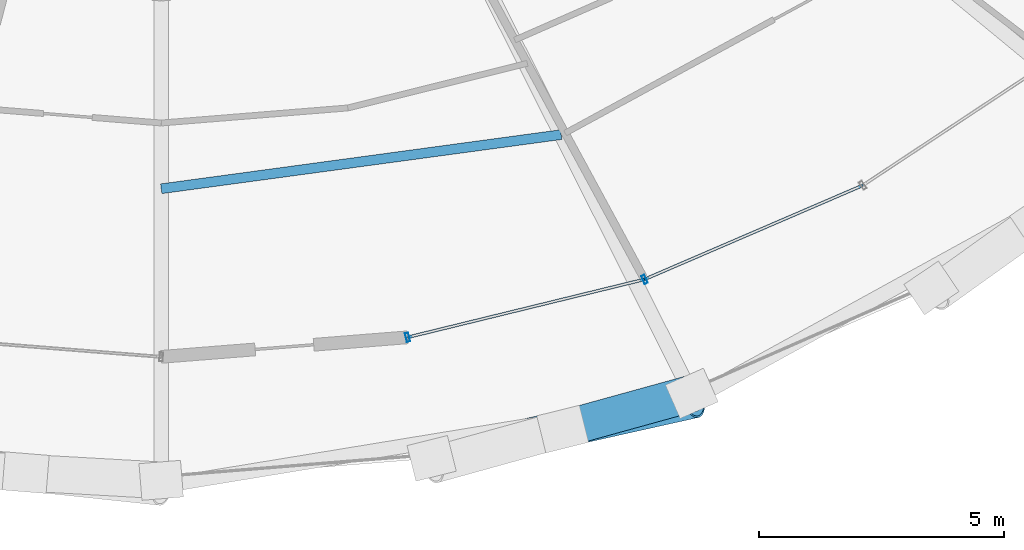
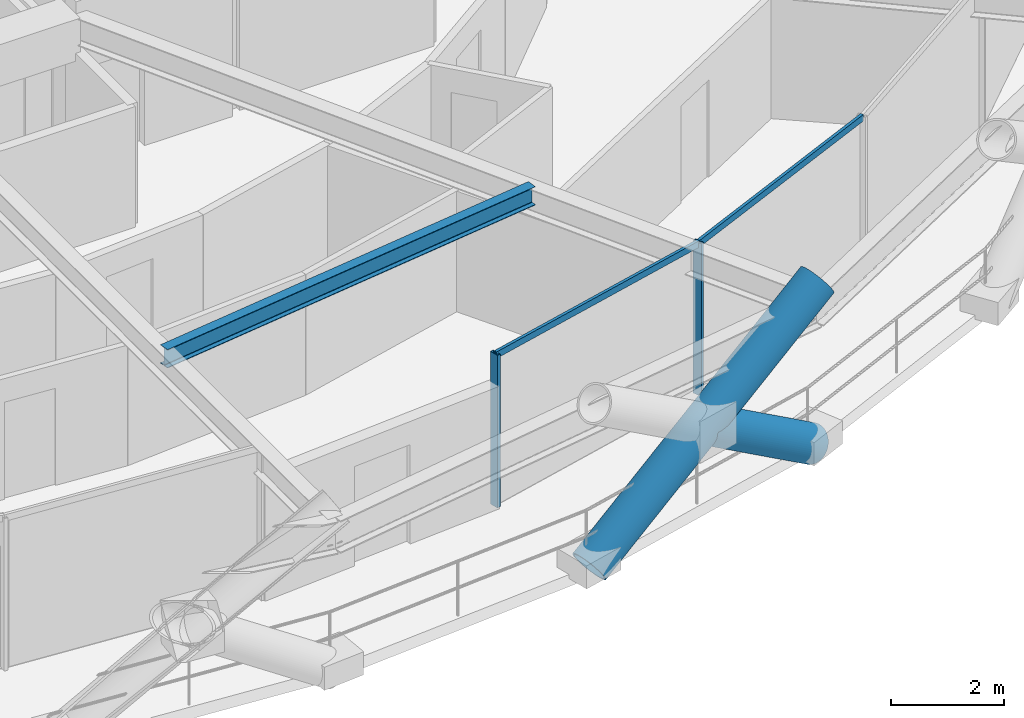
# One storey, part 6 of 20: 6 members, 1 beam, 1 element without a shape of its own.
"""IFC4 building model written with IfcOpenShell, lengths in metres."""

from ifc_helpers import new_model, si_unit, direction, frame, origin, origin_2d, place, context, subcontext, project, spatial, hollow_rectangle, hollow_circle, i_section, extrude, material, layer, layer_set, material_profile, profile_set, type_object, element, aggregate, save


model = new_model("IFC4")

# Units and contexts
model_context = context("Model", 3, precision=1e-05, world=origin(), true_north=direction((0.0, 1.0)))
body_context = subcontext(model_context, "Body", "Model", "MODEL_VIEW")
ifc_project = project(units=[si_unit("LENGTHUNIT", "METRE"), si_unit("AREAUNIT", "SQUARE_METRE"), si_unit("VOLUMEUNIT", "CUBIC_METRE"), si_unit("PLANEANGLEUNIT", "RADIAN"), si_unit("MASSUNIT", "GRAM", prefix="KILO")], contexts=[model_context])

# Site, building, storey
site_placement = place(None, origin())
site = spatial("IfcSite", under=ifc_project, at=site_placement, CompositionType="ELEMENT")
building_placement = place(site_placement, origin())
building = spatial("IfcBuilding", under=site, at=building_placement, Name="Veldorina Hangang Commons", CompositionType="ELEMENT")
storey_placement = place(building_placement, frame((0.0, 0.0, 48.39990234375)))
storey = spatial("IfcBuildingStorey", under=building, at=storey_placement, Name="L11", CompositionType="ELEMENT", Elevation=48.39990234375)

# Beam
ifc_material_1 = material(Name="Steel SM355-TMC", Category="steel")
ifc_material_profile_1 = material_profile(ifc_material_1, i_section(OverallWidth=0.199951171875, OverallDepth=0.39990234375, WebThickness=0.008056640625, FlangeThickness=0.012939453125, FilletRadius=0.012939453125, at=origin_2d()), Name="H-400x200x8x13")
ifc_profile_set_1 = profile_set([ifc_material_profile_1], Name="Steel SM355-TMC")
beam_type = type_object("IfcBeamType", Name="BM-JST400", PredefinedType="JOIST", material=ifc_profile_set_1)
beam_placement = place(storey_placement, frame((32.0, 6.653564453125, 3.14013671875), z_axis=(0.990965093647, 0.13412003271, 0.0), x_axis=(-0.13412003271, 0.990965093647, 0.0)))
element("IfcBeam", 1, at=beam_placement, inside=storey, type_object=beam_type, Name="L11 secondary floor joist 13", PredefinedType="JOIST", context=body_context, shape_type="SweptSolid", body=[
    extrude(i_section(OverallWidth=0.199951171875, OverallDepth=0.39990234375, WebThickness=0.008056640625, FlangeThickness=0.012939453125, FilletRadius=0.012939453125, at=origin_2d()), origin(), (0.0, 0.0, 1.0), 8.23876953125),
])

# Curtain wall, members
ifc_material_2 = material(Name="Glass Low-E Triple IGU", Category="glass")
ifc_layer = layer(ifc_material_2, 0.179931640625)
ifc_layer_set = layer_set([ifc_layer], Name="Glass Low-E Triple IGU")
curtain_wall_type = type_object("IfcCurtainWallType", Name="CW-SYS-Z1", PredefinedType="NOTDEFINED", material=ifc_layer_set)
curtain_wall_placement = place(storey_placement, origin())
curtain_wall = element("IfcCurtainWall", 2, at=curtain_wall_placement, inside=storey, type_object=curtain_wall_type, Name="L11 unitised curtain wall CW-L11-R2", PredefinedType="NOTDEFINED")
ifc_material_3 = material(Name="Aluminium Anodized AA6063-T6", Category="aluminium")
ifc_material_profile_2 = material_profile(ifc_material_3, hollow_rectangle(XDim=0.070068359375, YDim=0.179931640625, WallThickness=0.00390625, at=origin_2d()), Name="ALU-RHS-180x70x4")
ifc_profile_set_2 = profile_set([ifc_material_profile_2], Name="Aluminium Anodized AA6063-T6")
member_type_1 = type_object("IfcMemberType", Name="CW-MUL-180", PredefinedType="MULLION", material=ifc_profile_set_2)
member_1_placement = place(storey_placement, frame((37.029052734375, 3.62109375, 0.0), z_axis=(0.0, 0.0, 1.0), x_axis=(0.971383539033, 0.237516357534, 0.0)))
member_1 = element("IfcMember", 3, at=member_1_placement, type_object=member_type_1, Name="CW-L11-R2 vertical mullion 1", PredefinedType="MULLION", context=body_context, shape_type="SweptSolid", body=[
    extrude(hollow_rectangle(XDim=0.070068359375, YDim=0.179931640625, WallThickness=0.00390625, at=origin_2d()), origin(), (0.0, 0.0, 1.0), 3.300048828125),
])
member_2_placement = place(storey_placement, frame((41.86474609375, 4.8037109375, 0.0), z_axis=(0.0, 0.0, 1.0), x_axis=(0.91839114382, 0.395673738014, 0.0)))
member_2 = element("IfcMember", 4, at=member_2_placement, type_object=member_type_1, Name="CW-L11-R2 vertical mullion 2", PredefinedType="MULLION", context=body_context, shape_type="SweptSolid", body=[
    extrude(hollow_rectangle(XDim=0.070068359375, YDim=0.179931640625, WallThickness=0.00390625, at=origin_2d()), origin(), (0.0, 0.0, 1.0), 3.300048828125),
])
ifc_material_profile_3 = material_profile(ifc_material_3, hollow_rectangle(XDim=0.06005859375, YDim=0.139892578125, WallThickness=0.00341796875, at=origin_2d()), Name="ALU-RHS-140x60x3.5")
ifc_profile_set_3 = profile_set([ifc_material_profile_3], Name="Aluminium Anodized AA6063-T6")
member_type_2 = type_object("IfcMemberType", Name="CW-TRN-140", PredefinedType="USERDEFINED", material=ifc_profile_set_3)
member_3_placement = place(storey_placement, frame((37.029052734375, 3.62109375, 3.260009765625), z_axis=(0.971373108604, 0.237559011364, 0.0), x_axis=(-0.237559011364, 0.971373108604, 0.0)))
member_3 = element("IfcMember", 5, at=member_3_placement, type_object=member_type_2, Name="CW-L11-R2 facet 1 transom 1", ObjectType="TRANSOM", PredefinedType="USERDEFINED", context=body_context, shape_type="SweptSolid", body=[
    extrude(hollow_rectangle(XDim=0.06005859375, YDim=0.139892578125, WallThickness=0.00341796875, at=origin_2d()), origin(), (0.0, 0.0, 1.0), 4.978271484375),
])
member_4_placement = place(storey_placement, frame((41.86474609375, 4.8037109375, 3.260009765625), z_axis=(0.918406991135, 0.39563695307, 0.0), x_axis=(-0.39563695307, 0.918406991135, 0.0)))
member_4 = element("IfcMember", 6, at=member_4_placement, type_object=member_type_2, Name="CW-L11-R2 facet 2 transom 1", ObjectType="TRANSOM", PredefinedType="USERDEFINED", context=body_context, shape_type="SweptSolid", body=[
    extrude(hollow_rectangle(XDim=0.06005859375, YDim=0.139892578125, WallThickness=0.00341796875, at=origin_2d()), origin(), (0.0, 0.0, 1.0), 4.852783203125),
])
aggregate(curtain_wall, [member_1, member_2, member_3, member_4])

# Members
ifc_material_4 = material(Name="Steel SM460-TMC", Category="steel")
ifc_material_profile_4 = material_profile(ifc_material_4, hollow_circle(Radius=0.375, WallThickness=0.035888671875, at=origin_2d()), Name="CHS-750x36")
ifc_profile_set_4 = profile_set([ifc_material_profile_4], Name="Steel SM460-TMC")
member_type_3 = type_object("IfcMemberType", Name="DG-CHS750", PredefinedType="BRACE", material=ifc_profile_set_4)
member_5_placement = place(storey_placement, frame((37.520751953125, 1.149658203125, 0.0), z_axis=(0.816222633408, 0.182551660109, 0.548138216242), x_axis=(-0.218261992138, 0.975890210417, 0.0)))
element("IfcMember", 7, at=member_5_placement, inside=storey, type_object=member_type_3, Name="L11 continuous perimeter diagrid brace 25", PredefinedType="BRACE", context=body_context, shape_type="SweptSolid", body=[
    extrude(hollow_circle(Radius=0.375, WallThickness=0.035888671875, at=origin_2d()), origin(), (0.0, 0.0, 1.0), 6.56787109375),
])
member_6_placement = place(storey_placement, frame((42.8291015625, 2.4755859375, 0.0), z_axis=(-0.805594520028, -0.222544459661, 0.549082355185), x_axis=(0.266275321823, -0.963897013684, 0.0)))
element("IfcMember", 8, at=member_6_placement, inside=storey, type_object=member_type_3, Name="L11 split perimeter diagrid lower brace 26", PredefinedType="BRACE", context=body_context, shape_type="SweptSolid", body=[
    extrude(hollow_circle(Radius=0.375, WallThickness=0.035888671875, at=origin_2d()), origin(), (0.0, 0.0, 1.0), 3.270263671875),
])

save(model, "model.ifc")
